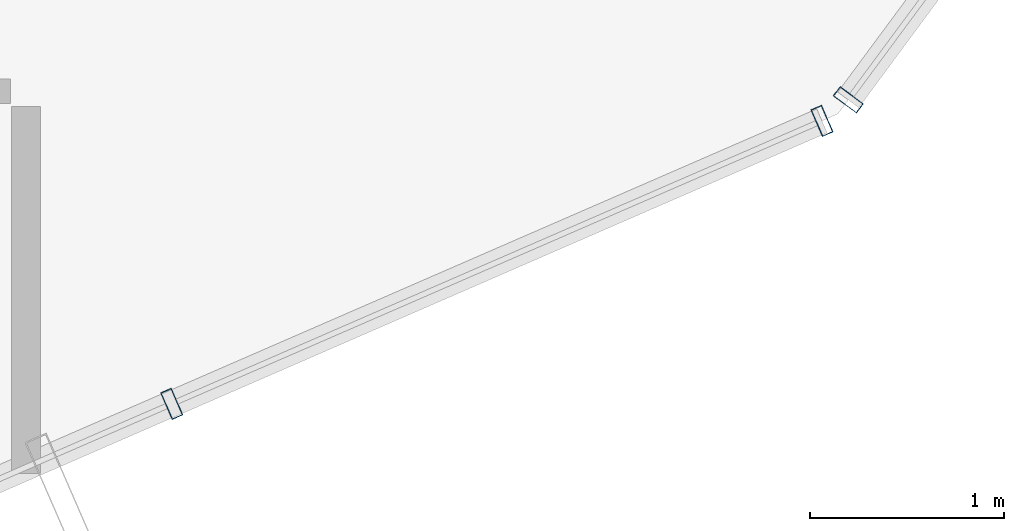
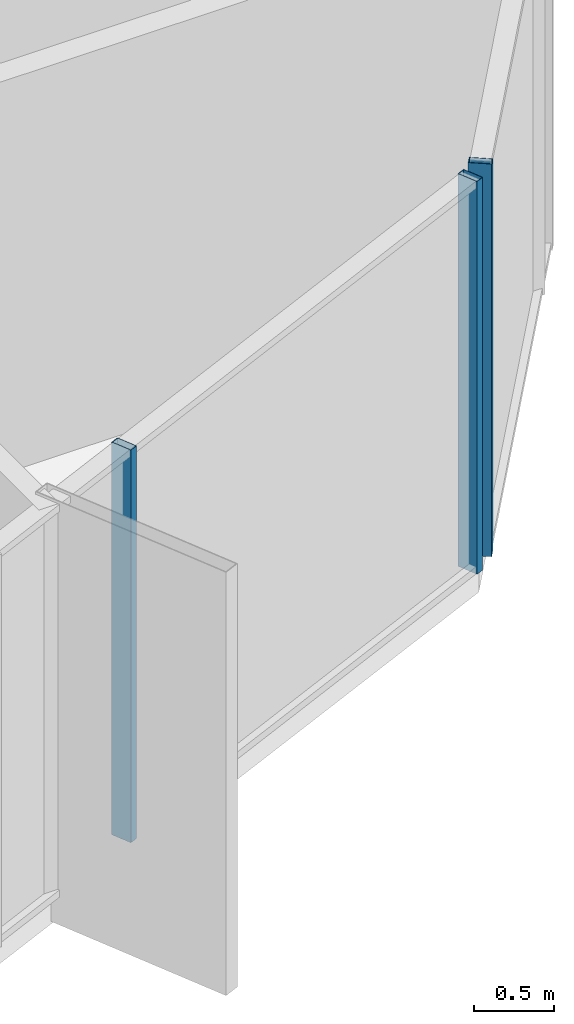
# One storey, part 10 of 30: 3 members, 2 elements without a shape of their own.
"""IFC4 building model written with IfcOpenShell, lengths in metres."""

import ifcopenshell
import ifcopenshell.guid

model = None  # the IFC model being written
_history = None  # IfcOwnerHistory: only IFC2X3 demands one
_inside = {}  # id of a spatial element -> (the spatial element, [elements in it])
_under = {}  # id of a project, library or spatial element -> (it, [spatial elements below it])
_declared = {}  # id of a project -> (the project, [libraries it declares])
_typed = {}  # id of a type object -> (the type object, [elements of that type])
_made_of = {}  # id of a material, layer set ... -> (it, [elements and type objects made of it])


def new_model(schema):
    """Start an empty IFC model of exactly this schema.

    Asked for "IFC4X3", IfcOpenShell would pick the latest addendum, in which some entities
    have other attributes; the version numbers below select the first issue.
    IFC2X3 requires an IfcOwnerHistory on every rooted entity: one is made here for all.
    """
    global model, _history
    if schema == "IFC4X3":
        model = ifcopenshell.file(schema_version=(4, 3, 0, 0))
    else:
        model = ifcopenshell.file(schema=schema)
    _inside.clear()
    _under.clear()
    _declared.clear()
    _typed.clear()
    _made_of.clear()
    _history = None
    if model.schema == "IFC2X3":
        org = make("IfcOrganization", Name="unknown")
        user = make(
            "IfcPersonAndOrganization",
            ThePerson=make("IfcPerson", FamilyName="unknown"),
            TheOrganization=org,
        )
        app = make(
            "IfcApplication",
            ApplicationDeveloper=org,
            Version="unknown",
            ApplicationFullName="unknown",
            ApplicationIdentifier="unknown",
        )
        _history = make(
            "IfcOwnerHistory",
            OwningUser=user,
            OwningApplication=app,
            ChangeAction="ADDED",
            CreationDate=0,
        )
    return model


def make(cls, **values):
    """One entity of the class cls with the attributes given. An attribute that is None is left unset."""
    return model.create_entity(
        cls, **{name: value for name, value in values.items() if value is not None}
    )


def rooted(cls, **values):
    """An entity with a GlobalId (a new one), such as an element, a storey or a relation."""
    return make(cls, GlobalId=ifcopenshell.guid.new(), OwnerHistory=_history, **values)


def si_unit(unit_type, name, prefix=None):
    """IfcSIUnit, for example si_unit("LENGTHUNIT", "METRE", prefix="MILLI")."""
    return make("IfcSIUnit", UnitType=unit_type, Prefix=prefix, Name=name)


def assignment(units):
    """IfcUnitAssignment: the units of a project."""
    return None if units is None else make("IfcUnitAssignment", Units=units)


def point(xyz):
    """IfcCartesianPoint."""
    return None if xyz is None else make("IfcCartesianPoint", Coordinates=xyz)


def direction(xyz):
    """IfcDirection."""
    return None if xyz is None else make("IfcDirection", DirectionRatios=xyz)


def frame(location, z_axis=None, x_axis=None):
    """IfcAxis2Placement3D, a coordinate frame: its origin and axes. An axis left out is left unset."""
    return make(
        "IfcAxis2Placement3D",
        Location=point(location),
        Axis=direction(z_axis),
        RefDirection=direction(x_axis),
    )


def frame_2d(location, x_axis=None):
    """IfcAxis2Placement2D, a coordinate frame in the plane: its origin and x axis."""
    return make(
        "IfcAxis2Placement2D", Location=point(location), RefDirection=direction(x_axis)
    )


def origin():
    """The frame at (0, 0, 0) with its axes left unset."""
    return frame((0.0, 0.0, 0.0))


def origin_2d():
    """The frame at (0, 0) in the plane with its x axis left unset."""
    return frame_2d((0.0, 0.0))


def place(relative_to, where):
    """IfcLocalPlacement: puts the frame where relative to a parent placement (None: the world)."""
    return make(
        "IfcLocalPlacement", PlacementRelTo=relative_to, RelativePlacement=where
    )


def context(
    kind, dimensions, precision=None, world=None, true_north=None, identifier=None
):
    """IfcGeometricRepresentationContext, for example the 3D "Model" context."""
    return make(
        "IfcGeometricRepresentationContext",
        ContextIdentifier=identifier,
        ContextType=kind,
        CoordinateSpaceDimension=dimensions,
        Precision=precision,
        WorldCoordinateSystem=world,
        TrueNorth=true_north,
    )


def subcontext(parent, identifier, kind, view, scale=None):
    """IfcGeometricRepresentationSubContext, for example "Body" below "Model"."""
    return make(
        "IfcGeometricRepresentationSubContext",
        ContextIdentifier=identifier,
        ContextType=kind,
        ParentContext=parent,
        TargetScale=scale,
        TargetView=view,
    )


def project(units=None, contexts=None):
    """IfcProject with its units and contexts."""
    return rooted(
        "IfcProject",
        Name="project",
        RepresentationContexts=contexts,
        UnitsInContext=assignment(units),
    )


def spatial(cls, under=None, at=None, **own):
    """A site, building, storey or space (cls), placed at a placement, below another one or the project."""
    s = rooted(cls, ObjectPlacement=at, **own)
    if under is not None:
        _under.setdefault(under.id(), (under, []))[1].append(s)
    return s


def profile(cls, at=None, kind="AREA", **sizes):
    """A parametric profile (cls). Its sizes go by their IFC names, for example OverallWidth=200.0."""
    return make(cls, ProfileType=kind, Position=at, **sizes)


def hollow_rectangle(**sizes):
    """IfcRectangleHollowProfileDef."""
    return profile("IfcRectangleHollowProfileDef", **sizes)


def extrude(swept, where, along, depth):
    """IfcExtrudedAreaSolid: the profile swept, set in the frame where, extruded along a direction by depth."""
    return make(
        "IfcExtrudedAreaSolid",
        SweptArea=swept,
        Position=where,
        ExtrudedDirection=direction(along),
        Depth=depth,
    )


def shape(context_of_items, identifier, shape_type, items):
    """IfcShapeRepresentation: the items that make up one representation, for example the "Body"."""
    return make(
        "IfcShapeRepresentation",
        ContextOfItems=context_of_items,
        RepresentationIdentifier=identifier,
        RepresentationType=shape_type,
        Items=items,
    )


def source(mapping_origin, context_of_items, identifier, shape_type, items):
    """IfcRepresentationMap: a shape defined once, which mapped items show again and again."""
    return make(
        "IfcRepresentationMap",
        MappingOrigin=mapping_origin,
        MappedRepresentation=shape(context_of_items, identifier, shape_type, items),
    )


def transform(
    local_origin,
    x_axis=None,
    y_axis=None,
    z_axis=None,
    scale=None,
    scale2=None,
    scale3=None,
    uniform=True,
):
    """IfcCartesianTransformationOperator3D, or its non-uniform kind. x_axis, y_axis, z_axis: its Axis1, 2, 3."""
    if uniform:
        return make(
            "IfcCartesianTransformationOperator3D",
            Axis1=direction(x_axis),
            Axis2=direction(y_axis),
            LocalOrigin=point(local_origin),
            Scale=scale,
            Axis3=direction(z_axis),
        )
    return make(
        "IfcCartesianTransformationOperator3DnonUniform",
        Axis1=direction(x_axis),
        Axis2=direction(y_axis),
        LocalOrigin=point(local_origin),
        Scale=scale,
        Axis3=direction(z_axis),
        Scale2=scale2,
        Scale3=scale3,
    )


def mapped(mapping_source, mapping_target):
    """IfcMappedItem: shows the shape of a source again, moved by a transform."""
    return make(
        "IfcMappedItem", MappingSource=mapping_source, MappingTarget=mapping_target
    )


def material(Name=None, Category=None):
    """IfcMaterial."""
    return make("IfcMaterial", Name=Name, Category=Category)


def layer(
    of_material, thickness, ventilated=None, Name=None, Category=None, Priority=None
):
    """IfcMaterialLayer: one layer of a wall or slab, of a material (None: an air gap)."""
    return make(
        "IfcMaterialLayer",
        Material=of_material,
        LayerThickness=thickness,
        IsVentilated=ventilated,
        Name=Name,
        Category=Category,
        Priority=Priority,
    )


def layer_set(layers, Name=None):
    """IfcMaterialLayerSet."""
    return make("IfcMaterialLayerSet", MaterialLayers=layers, LayerSetName=Name)


def material_profile(
    of_material, cross_section, Name=None, Category=None, Priority=None
):
    """IfcMaterialProfile: a cross section and its material."""
    return make(
        "IfcMaterialProfile",
        Name=Name,
        Material=of_material,
        Profile=cross_section,
        Priority=Priority,
        Category=Category,
    )


def profile_set(profiles, Name=None, composite=None):
    """IfcMaterialProfileSet."""
    return make(
        "IfcMaterialProfileSet",
        Name=Name,
        MaterialProfiles=profiles,
        CompositeProfile=composite,
    )


def made_of(thing, what):
    """Note that an element or type object is made of a material, layer set ...; save() writes the relation."""
    if what is not None:
        _made_of.setdefault(what.id(), (what, []))[1].append(thing)
    return thing


def type_object(cls, material=None, **own):
    """A type object (cls), such as IfcWallType, which elements share."""
    return made_of(rooted(cls, **own), material)


def element(
    cls,
    number,
    at=None,
    inside=None,
    cuts=None,
    type_object=None,
    material=None,
    context=None,
    identifier="Body",
    shape_type=None,
    held_by="IfcProductDefinitionShape",
    body=None,
    shapes=None,
    **own,
):
    """One element of the class cls, such as IfcWall. Its Tag is "e" and its number.

    at: its placement. inside: the storey or other place that contains it. cuts: it is an
    opening in that element (IfcRelVoidsElement). A single representation is given by context,
    identifier, shape_type and body (its items); several are given by shapes. held_by: the class
    of the entity that holds the representations. save() writes the other relations.
    """
    e = rooted(cls, Tag="e%d" % number, ObjectPlacement=at, **own)
    if body is not None:
        shapes = [shape(context, identifier, shape_type, body)]
    if shapes is not None:
        e.Representation = make(held_by, Representations=shapes)
    if inside is not None:
        _inside.setdefault(inside.id(), (inside, []))[1].append(e)
    if cuts is not None:
        rooted(
            "IfcRelVoidsElement", RelatingBuildingElement=cuts, RelatedOpeningElement=e
        )
    if type_object is not None:
        _typed.setdefault(type_object.id(), (type_object, []))[1].append(e)
    return made_of(e, material)


def aggregate(whole, parts):
    """IfcRelAggregates: a whole, such as a stair, and the parts it consists of."""
    return rooted("IfcRelAggregates", RelatingObject=whole, RelatedObjects=parts)


def save(model, path):
    """Write the relations noted so far, then the file.

    IfcRelAggregates (storeys below a building ...), IfcRelContainedInSpatialStructure (elements
    in a storey), IfcRelDefinesByType, IfcRelAssociatesMaterial and IfcRelDeclares: one each for
    every whole, place, type object, material and project.
    """
    for whole, parts in _under.values():
        aggregate(whole, parts)
    for where, things in _inside.values():
        rooted(
            "IfcRelContainedInSpatialStructure",
            RelatedElements=things,
            RelatingStructure=where,
        )
    for kind, things in _typed.values():
        rooted("IfcRelDefinesByType", RelatedObjects=things, RelatingType=kind)
    for what, things in _made_of.values():
        rooted("IfcRelAssociatesMaterial", RelatedObjects=things, RelatingMaterial=what)
    for by, libraries in _declared.values():
        rooted("IfcRelDeclares", RelatingContext=by, RelatedDefinitions=libraries)
    model.write(path)


model = new_model("IFC4")

# Units and contexts
model_context = context("Model", 3, precision=1e-05, world=origin(), true_north=direction((0.0, 1.0)))
body_context = subcontext(model_context, "Body", "Model", "MODEL_VIEW")
ifc_project = project(units=[si_unit("LENGTHUNIT", "METRE"), si_unit("AREAUNIT", "SQUARE_METRE"), si_unit("VOLUMEUNIT", "CUBIC_METRE"), si_unit("PLANEANGLEUNIT", "RADIAN"), si_unit("MASSUNIT", "GRAM", prefix="KILO")], contexts=[model_context])

# Site, building, storey
site_placement = place(None, origin())
site = spatial("IfcSite", under=ifc_project, at=site_placement, CompositionType="ELEMENT")
building_placement = place(site_placement, origin())
building = spatial("IfcBuilding", under=site, at=building_placement, Name="Veraguas Prism Commons", CompositionType="ELEMENT")
storey_placement = place(building_placement, frame((0.0, 0.0, 230.050048828125)))
storey = spatial("IfcBuildingStorey", under=building, at=storey_placement, Name="L65", CompositionType="ELEMENT", Elevation=230.050048828125)

# Curtain wall, members
ifc_material = material(Name="Anodised aluminium EN AW-6063 T6", Category="aluminium")
ifc_layer = layer(ifc_material, 0.14990234375, Name="Unitised Flush Curtain Wall Zone 4", Category="aluminium")
ifc_layer_set = layer_set([ifc_layer], Name="Anodised aluminium EN AW-6063 T6")
curtain_wall_type = type_object("IfcCurtainWallType", Name="Unitised Flush Curtain Wall Zone 4", PredefinedType="NOTDEFINED", material=ifc_layer_set)
curtain_wall_1_placement = place(storey_placement, origin())
curtain_wall_1 = element("IfcCurtainWall", 1, at=curtain_wall_1_placement, inside=storey, type_object=curtain_wall_type, Name="Tower Facade Curtain Wall L65-F5", PredefinedType="NOTDEFINED")
ifc_material_profile = material_profile(ifc_material, hollow_rectangle(XDim=0.06005859375, YDim=0.14990234375, WallThickness=0.0029296875, at=origin_2d()), Name="AL60X150X3")
ifc_profile_set = profile_set([ifc_material_profile], Name="Anodised aluminium EN AW-6063 T6")
member_type = type_object("IfcMemberType", Name="Curtain Wall Mullion Upper AL 60x150x3", PredefinedType="MULLION", material=ifc_profile_set)
shared_shape = source(origin(), body_context, "Body", "SweptSolid", [
    extrude(hollow_rectangle(XDim=0.06005859375, YDim=0.14990234375, WallThickness=0.0029296875, at=origin_2d()), origin(), (0.0, 0.0, 1.0), 3.014892578125),
])
member_1_placement = place(storey_placement, frame((33.951416015625, 10.3857421875, 0.0), z_axis=(0.0, 0.0, 1.0), x_axis=(0.916918739301, 0.399073959961, 0.0)))
member_1 = element("IfcMember", 2, at=member_1_placement, type_object=member_type, Name="CW-Z4 Mullion 4", PredefinedType="MULLION", context=body_context, shape_type="MappedRepresentation", body=[
    mapped(shared_shape, transform((0.0, 0.0, 0.0), scale=1.0)),
])
member_2_placement = place(storey_placement, frame((37.308837890625, 11.846923828125, 0.0), z_axis=(0.0, 0.0, 1.0), x_axis=(0.916918739301, 0.399073959961, 0.0)))
member_2 = element("IfcMember", 3, at=member_2_placement, type_object=member_type, Name="CW-Z4 Mullion 5", PredefinedType="MULLION", context=body_context, shape_type="MappedRepresentation", body=[
    mapped(shared_shape, transform((0.0, 0.0, 0.0), scale=1.0)),
])
aggregate(curtain_wall_1, [member_1, member_2])

# Curtain wall, member
curtain_wall_2_placement = place(storey_placement, origin())
curtain_wall_2 = element("IfcCurtainWall", 4, at=curtain_wall_2_placement, inside=storey, type_object=curtain_wall_type, Name="Chamfer Curtain Wall L65-C6", PredefinedType="NOTDEFINED")
member_3_placement = place(storey_placement, frame((37.44482421875, 11.955322265625, 0.0), z_axis=(0.0, 0.0, 1.0), x_axis=(0.594505663641, 0.8040914226, 0.0)))
member_3 = element("IfcMember", 5, at=member_3_placement, type_object=member_type, Name="CW-Z4 Mullion 1", PredefinedType="MULLION", context=body_context, shape_type="MappedRepresentation", body=[
    mapped(shared_shape, transform((0.0, 0.0, 0.0), scale=1.0)),
])
aggregate(curtain_wall_2, [member_3])

save(model, "model.ifc")
